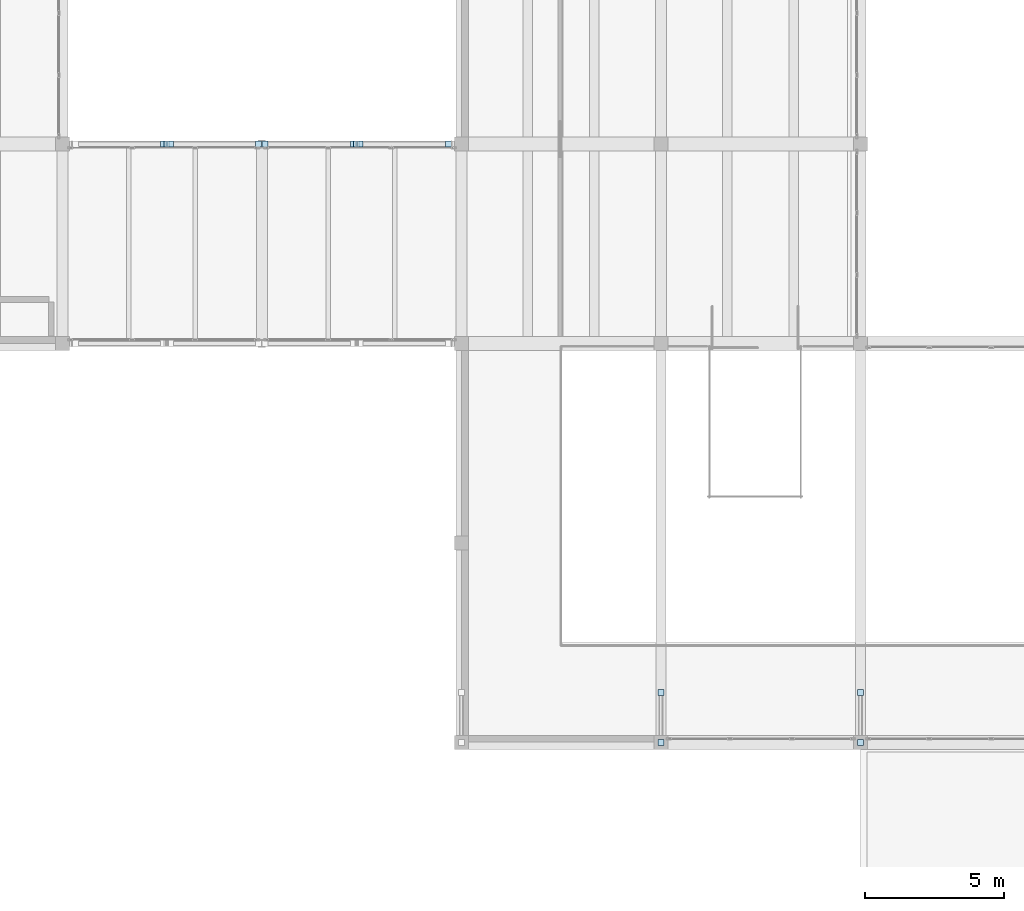
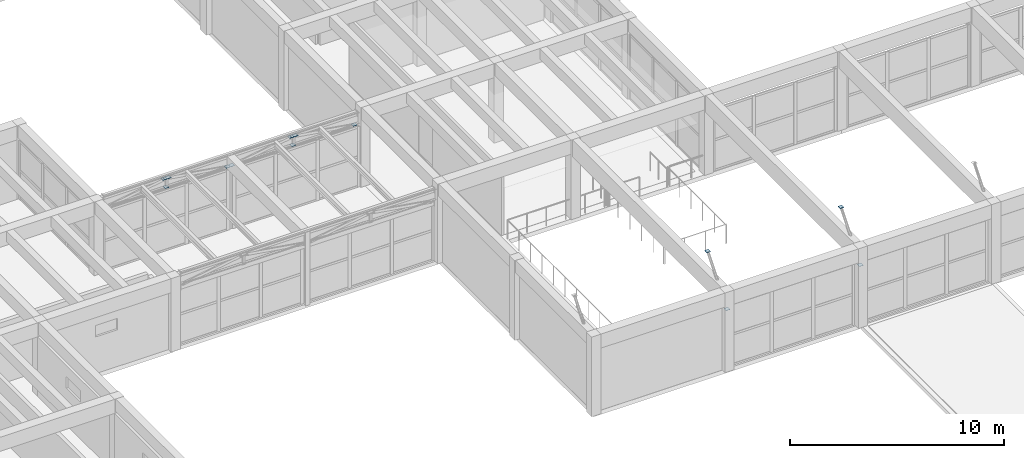
# One storey, part 128 of 153: 15 plates.
"""IFC4 building model written with IfcOpenShell, lengths in metres."""

from ifc_helpers import new_model, si_unit, direction, frame, origin, origin_2d, place, context, subcontext, project, spatial, rectangle, extrude, material, layer, layer_set, type_object, element, save


model = new_model("IFC4")

# Units and contexts
model_context = context("Model", 3, precision=1e-05, world=origin(), true_north=direction((0.0, 1.0)))
body_context = subcontext(model_context, "Body", "Model", "MODEL_VIEW")
ifc_project = project(units=[si_unit("LENGTHUNIT", "METRE"), si_unit("AREAUNIT", "SQUARE_METRE"), si_unit("VOLUMEUNIT", "CUBIC_METRE"), si_unit("PLANEANGLEUNIT", "RADIAN"), si_unit("MASSUNIT", "GRAM", prefix="KILO")], contexts=[model_context])

# Site, building, storey
site_placement = place(None, origin())
site = spatial("IfcSite", under=ifc_project, at=site_placement, CompositionType="ELEMENT")
building_placement = place(site_placement, origin())
building = spatial("IfcBuilding", under=site, at=building_placement, Name="Bramvelor Terrace Health Centre", CompositionType="ELEMENT")
storey_placement = place(building_placement, frame((0.0, 0.0, 4.800048828125)))
storey = spatial("IfcBuildingStorey", under=building, at=storey_placement, Name="L02", CompositionType="ELEMENT", Elevation=4.800048828125)

# Plates
ifc_material_1 = material(Name="Steel S355J2", Category="steel")
ifc_layer_1 = layer(ifc_material_1, 0.011962890625)
ifc_layer_set_1 = layer_set([ifc_layer_1], Name="Steel S355J2")
plate_type_1 = type_object("IfcPlateType", Name="PLT-CAP-12", PredefinedType="USERDEFINED", material=ifc_layer_set_1)
for number, where, z_axis, x_axis, name in (
    (1, (32.455078125, 57.60009765625, 4.02392578125), (0.0, 0.0, 1.0), (1.0, 0.0, 0.0), "BR1 Truss Node Gusset 0B"),
    (2, (32.574951171875, 57.60009765625, 3.51416015625), (0.0, 0.0, 1.0), (1.0, 0.0, 0.0), "BR1 Strut End Plate 1SB"),
    (3, (32.574951171875, 57.60009765625, 4.02392578125), (0.0, 0.0, 1.0), (1.0, 0.0, 0.0), "BR1 Strut End Plate 1ST"),
    (4, (32.695068359375, 57.60009765625, 4.02392578125), (0.0, 0.0, 1.0), (1.0, 0.0, 0.0), "BR1 Truss Node Gusset 1A"),
    (5, (35.8798828125, 57.60009765625, 3.51416015625), (0.0, 0.0, 1.0), (1.0, 0.0, 0.0), "BR1 Truss Node Gusset 1B"),
    (6, (36.1201171875, 57.60009765625, 3.51416015625), (0.0, 0.0, 1.0), (1.0, 0.0, 0.0), "BR1 Truss Node Gusset 2A"),
    (7, (39.304931640625, 57.60009765625, 4.02392578125), (0.0, 0.0, 1.0), (1.0, 0.0, 0.0), "BR1 Truss Node Gusset 2B"),
    (8, (39.425048828125, 57.60009765625, 3.51416015625), (0.0, 0.0, 1.0), (1.0, 0.0, 0.0), "BR1 Strut End Plate 3SB"),
    (9, (39.425048828125, 57.60009765625, 4.02392578125), (0.0, 0.0, 1.0), (1.0, 0.0, 0.0), "BR1 Strut End Plate 3ST"),
    (10, (39.544921875, 57.60009765625, 4.02392578125), (0.0, 0.0, 1.0), (1.0, 0.0, 0.0), "BR1 Truss Node Gusset 3A"),
    (11, (42.72998046875, 57.60009765625, 3.51416015625), (0.0, 0.0, 1.0), (1.0, 0.0, 0.0), "BR1 Truss Node Gusset 3B"),
):
    element("IfcPlate", number, at=place(storey_placement, frame(where, z_axis=z_axis, x_axis=x_axis)), inside=storey, type_object=plate_type_1, Name=name, ObjectType="GUSSET PLATE", PredefinedType="USERDEFINED", context=body_context, shape_type="SweptSolid", body=[
        extrude(rectangle(XDim=0.219970703125, YDim=0.219970703125, at=origin_2d()), origin(), (0.0, 0.0, 1.0), 0.011962890625),
    ])
ifc_material_2 = material(Name="Steel S355J2", Category="steel")
ifc_layer_2 = layer(ifc_material_2, 0.011962890625)
ifc_layer_set_2 = layer_set([ifc_layer_2], Name="Steel S355J2")
plate_type_2 = type_object("IfcPlateType", Name="PLT-CAP-12-EXT", PredefinedType="USERDEFINED", material=ifc_layer_set_2)
for number, where, z_axis, x_axis, name in (
    (12, (50.39990234375, 36.0, 3.39404296875), (0.0, 0.0, 1.0), (1.0, 0.0, 0.0), "Storm-Eave Strut Cap Plate S2-1"),
    (13, (50.39990234375, 37.800048828125, 5.61572265625), (0.0, 0.0, 1.0), (1.0, 0.0, 0.0), "Storm-Eave Strut Cap Plate S2-2"),
    (14, (57.60009765625, 36.0, 3.39404296875), (0.0, 0.0, 1.0), (1.0, 0.0, 0.0), "Storm-Eave Strut Cap Plate S3-1"),
    (15, (57.60009765625, 37.800048828125, 5.61572265625), (0.0, 0.0, 1.0), (1.0, 0.0, 0.0), "Storm-Eave Strut Cap Plate S3-2"),
):
    element("IfcPlate", number, at=place(storey_placement, frame(where, z_axis=z_axis, x_axis=x_axis)), inside=storey, type_object=plate_type_2, Name=name, ObjectType="GUSSET PLATE", PredefinedType="USERDEFINED", context=body_context, shape_type="SweptSolid", body=[
        extrude(rectangle(XDim=0.219970703125, YDim=0.219970703125, at=origin_2d()), origin(), (0.0, 0.0, 1.0), 0.011962890625),
    ])

save(model, "model.ifc")
